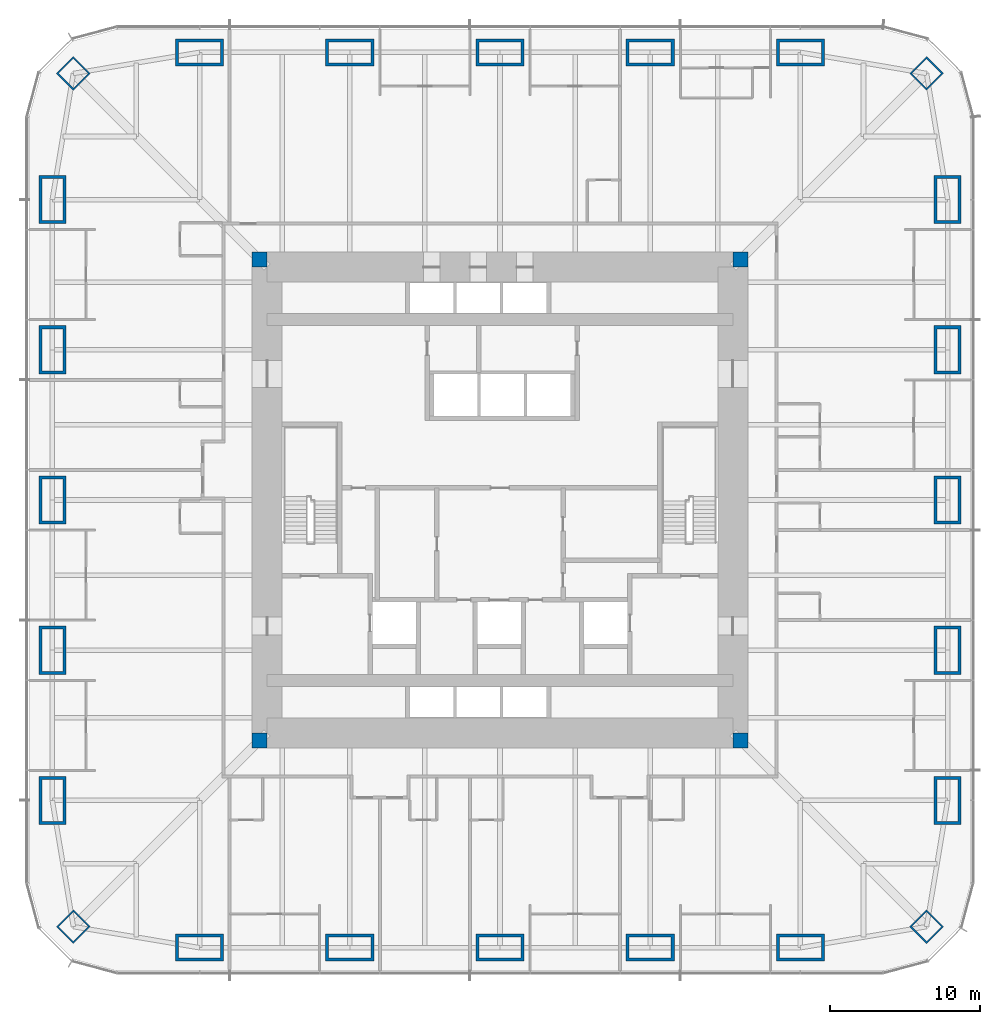
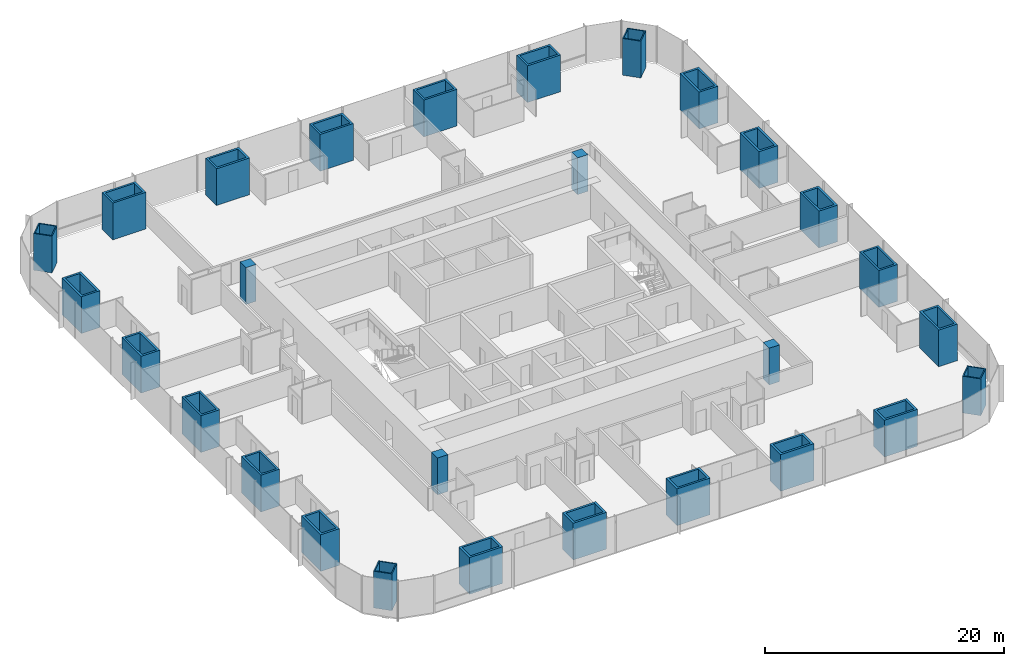
# One storey, part 1 of 16: 28 columns.
"""IFC4 building model written with IfcOpenShell, lengths in metres."""

from ifc_helpers import new_model, si_unit, direction, frame, origin, origin_2d, place, context, subcontext, project, spatial, rectangle, hollow_rectangle, extrude, material, material_profile, profile_set, type_object, element, save


model = new_model("IFC4")

# Units and contexts
model_context = context("Model", 3, precision=1e-05, world=origin(), true_north=direction((0.0, 1.0)))
body_context = subcontext(model_context, "Body", "Model", "MODEL_VIEW")
ifc_project = project(units=[si_unit("LENGTHUNIT", "METRE"), si_unit("AREAUNIT", "SQUARE_METRE"), si_unit("VOLUMEUNIT", "CUBIC_METRE"), si_unit("PLANEANGLEUNIT", "RADIAN"), si_unit("MASSUNIT", "GRAM", prefix="KILO")], contexts=[model_context])

# Site, building, storey
site_placement = place(None, origin())
site = spatial("IfcSite", under=ifc_project, at=site_placement, CompositionType="ELEMENT")
building_placement = place(site_placement, origin())
building = spatial("IfcBuilding", under=site, at=building_placement, Name="Khuree Lantern Residences", CompositionType="ELEMENT")
storey_placement = place(building_placement, frame((0.0, 0.0, 54.75)))
storey = spatial("IfcBuildingStorey", under=building, at=storey_placement, Name="L13", CompositionType="ELEMENT", Elevation=54.75)

# Columns
ifc_material_1 = material(Name="Steel S355 CFT welded box", Category="steel")
ifc_material_profile_1 = material_profile(ifc_material_1, hollow_rectangle(XDim=1.60009765625, YDim=1.60009765625, WallThickness=0.10009765625, at=origin_2d()), Name="WELDED BOX 1600X1600X100")
ifc_profile_set_1 = profile_set([ifc_material_profile_1], Name="Steel S355 CFT welded box")
column_type_1 = type_object("IfcColumnType", Name="CC1600 PERIMETER CORNER MEGA COLUMN WELDED BOX 1600X1600X100", PredefinedType="COLUMN", material=ifc_profile_set_1)
for number, where, z_axis, x_axis, name in (
    (1, (28.39404296875, 28.39404296875, 0.0), (0.0, 0.0, 1.0), (0.707106781187, -0.707106781187, 0.0), "Perimeter column NE"),
    (2, (28.39404296875, -28.39404296875, 0.0), (0.0, 0.0, 1.0), (0.707106781187, 0.707106781187, 0.0), "Perimeter column SE"),
    (3, (-28.39404296875, -28.39404296875, 0.0), (0.0, 0.0, 1.0), (0.707106781187, -0.707106781187, 0.0), "Perimeter column SW"),
    (4, (-28.39404296875, 28.39404296875, 0.0), (0.0, 0.0, 1.0), (0.707106781187, 0.707106781187, 0.0), "Perimeter column NW"),
):
    element("IfcColumn", number, at=place(storey_placement, frame(where, z_axis=z_axis, x_axis=x_axis)), inside=storey, type_object=column_type_1, Name=name, PredefinedType="COLUMN", context=body_context, shape_type="SweptSolid", body=[
        extrude(hollow_rectangle(XDim=1.60009765625, YDim=1.60009765625, WallThickness=0.10009765625, at=origin_2d()), origin(), (0.0, 0.0, 1.0), 3.75),
    ])
ifc_material_2 = material(Name="Concrete C70/85", Category="concrete")
ifc_material_profile_2 = material_profile(ifc_material_2, rectangle(XDim=1.0, YDim=1.0, at=origin_2d()), Name="RC 1000X1000")
ifc_profile_set_2 = profile_set([ifc_material_profile_2], Name="Concrete C70/85")
column_type_2 = type_object("IfcColumnType", Name="CP1000-C70 CORE CORNER PIER C70 RC 1000X1000", PredefinedType="COLUMN", material=ifc_profile_set_2)
for number, where, z_axis, x_axis, name in (
    (5, (16.0, 16.0, -0.25), (0.0, 0.0, 1.0), (1.0, 0.0, 0.0), "Core corner pier NE"),
    (6, (-16.0, 16.0, -0.25), (0.0, 0.0, 1.0), (1.0, 0.0, 0.0), "Core corner pier NW"),
    (7, (-16.0, -16.0, -0.25), (0.0, 0.0, 1.0), (1.0, 0.0, 0.0), "Core corner pier SW"),
    (8, (16.0, -16.0, -0.25), (0.0, 0.0, 1.0), (1.0, 0.0, 0.0), "Core corner pier SE"),
):
    element("IfcColumn", number, at=place(storey_placement, frame(where, z_axis=z_axis, x_axis=x_axis)), inside=storey, type_object=column_type_2, Name=name, PredefinedType="COLUMN", context=body_context, shape_type="SweptSolid", body=[
        extrude(rectangle(XDim=1.0, YDim=1.0, at=origin_2d()), origin(), (0.0, 0.0, 1.0), 3.75),
    ])
ifc_material_profile_3 = material_profile(ifc_material_1, hollow_rectangle(XDim=3.199951171875, YDim=1.800048828125, WallThickness=0.199951171875, at=origin_2d()), Name="WELDED BOX 3200X1800X200")
ifc_profile_set_3 = profile_set([ifc_material_profile_3], Name="Steel S355 CFT welded box")
column_type_3 = type_object("IfcColumnType", Name="SC1 PERIMETER MEGA COLUMN WELDED BOX 3200X1800X200", PredefinedType="COLUMN", material=ifc_profile_set_3)
for number, where, z_axis, x_axis, name in (
    (9, (-20.0, 29.800048828125, 0.0), (0.0, 0.0, 1.0), (1.0, 0.0, 0.0), "Perimeter column N1"),
    (10, (-10.0, 29.800048828125, 0.0), (0.0, 0.0, 1.0), (1.0, 0.0, 0.0), "Perimeter column N2"),
    (11, (0.0, 29.800048828125, 0.0), (0.0, 0.0, 1.0), (1.0, 0.0, 0.0), "Perimeter column N3"),
    (12, (10.0, 29.800048828125, 0.0), (0.0, 0.0, 1.0), (1.0, 0.0, 0.0), "Perimeter column N4"),
    (13, (20.0, 29.800048828125, 0.0), (0.0, 0.0, 1.0), (1.0, 0.0, 0.0), "Perimeter column N5"),
    (14, (29.800048828125, 20.0, 0.0), (0.0, 0.0, 1.0), (0.0, 1.0, 0.0), "Perimeter column E1"),
    (15, (29.800048828125, 10.0, 0.0), (0.0, 0.0, 1.0), (0.0, 1.0, 0.0), "Perimeter column E2"),
    (16, (29.800048828125, 0.0, 0.0), (0.0, 0.0, 1.0), (0.0, 1.0, 0.0), "Perimeter column E3"),
    (17, (29.800048828125, -10.0, 0.0), (0.0, 0.0, 1.0), (0.0, 1.0, 0.0), "Perimeter column E4"),
    (18, (29.800048828125, -20.0, 0.0), (0.0, 0.0, 1.0), (0.0, 1.0, 0.0), "Perimeter column E5"),
    (19, (20.0, -29.800048828125, 0.0), (0.0, 0.0, 1.0), (1.0, 0.0, 0.0), "Perimeter column S1"),
    (20, (10.0, -29.800048828125, 0.0), (0.0, 0.0, 1.0), (1.0, 0.0, 0.0), "Perimeter column S2"),
    (21, (0.0, -29.800048828125, 0.0), (0.0, 0.0, 1.0), (1.0, 0.0, 0.0), "Perimeter column S3"),
    (22, (-10.0, -29.800048828125, 0.0), (0.0, 0.0, 1.0), (1.0, 0.0, 0.0), "Perimeter column S4"),
    (23, (-20.0, -29.800048828125, 0.0), (0.0, 0.0, 1.0), (1.0, 0.0, 0.0), "Perimeter column S5"),
    (24, (-29.800048828125, -20.0, 0.0), (0.0, 0.0, 1.0), (0.0, 1.0, 0.0), "Perimeter column W1"),
    (25, (-29.800048828125, -10.0, 0.0), (0.0, 0.0, 1.0), (0.0, 1.0, 0.0), "Perimeter column W2"),
    (26, (-29.800048828125, 0.0, 0.0), (0.0, 0.0, 1.0), (0.0, 1.0, 0.0), "Perimeter column W3"),
    (27, (-29.800048828125, 10.0, 0.0), (0.0, 0.0, 1.0), (0.0, 1.0, 0.0), "Perimeter column W4"),
    (28, (-29.800048828125, 20.0, 0.0), (0.0, 0.0, 1.0), (0.0, 1.0, 0.0), "Perimeter column W5"),
):
    element("IfcColumn", number, at=place(storey_placement, frame(where, z_axis=z_axis, x_axis=x_axis)), inside=storey, type_object=column_type_3, Name=name, PredefinedType="COLUMN", context=body_context, shape_type="SweptSolid", body=[
        extrude(hollow_rectangle(XDim=3.199951171875, YDim=1.800048828125, WallThickness=0.199951171875, at=origin_2d()), origin(), (0.0, 0.0, 1.0), 3.75),
    ])

save(model, "model.ifc")
